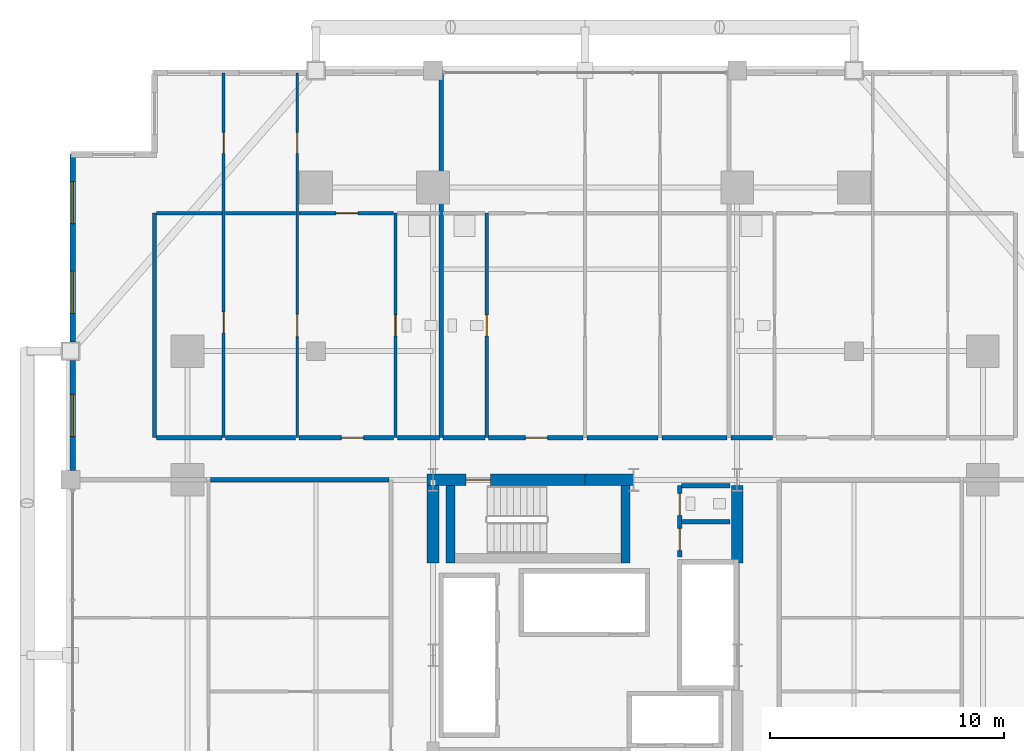
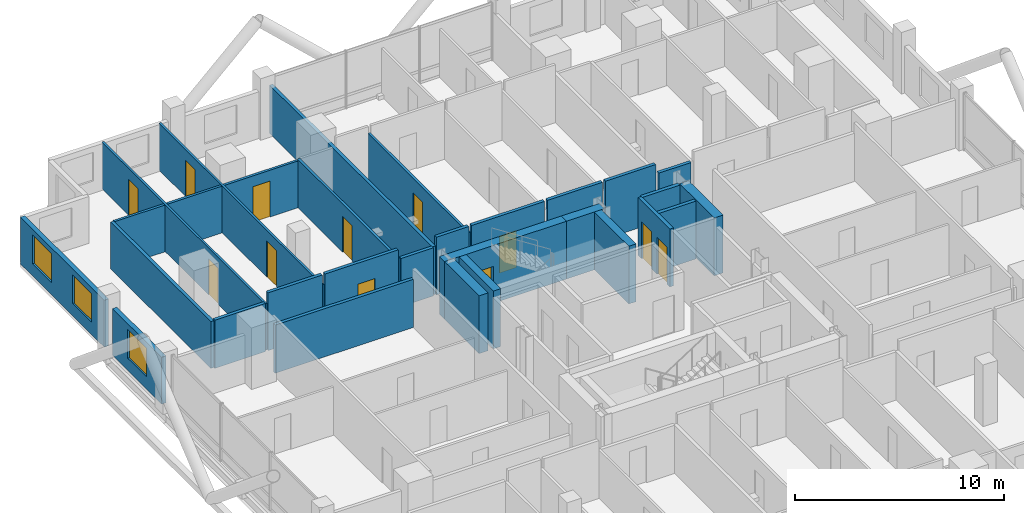
# One storey, part 24 of 28: 30 walls, 12 doors, 3 windows, 15 openings.
"""IFC4 building model written with IfcOpenShell, lengths in metres."""

from ifc_helpers import new_model, si_unit, direction, frame, frame_2d, origin, place, context, subcontext, project, spatial, rectangle, extrude, material, layer, layer_set, type_object, element, fill, save


model = new_model("IFC4")

# Units and contexts
model_context = context("Model", 3, precision=1e-05, world=origin(), true_north=direction((0.0, 1.0)))
body_context = subcontext(model_context, "Body", "Model", "MODEL_VIEW")
ifc_project = project(units=[si_unit("LENGTHUNIT", "METRE"), si_unit("AREAUNIT", "SQUARE_METRE"), si_unit("VOLUMEUNIT", "CUBIC_METRE"), si_unit("PLANEANGLEUNIT", "RADIAN"), si_unit("MASSUNIT", "GRAM", prefix="KILO")], contexts=[model_context])

# Site, building, storey
site_placement = place(None, origin())
site = spatial("IfcSite", under=ifc_project, at=site_placement, CompositionType="ELEMENT")
building_placement = place(site_placement, origin())
building = spatial("IfcBuilding", under=site, at=building_placement, Name="Barlavira Tower and Art Museum", CompositionType="ELEMENT")
storey_placement = place(building_placement, frame((0.0, 0.0, 39.60009765625)))
storey = spatial("IfcBuildingStorey", under=building, at=storey_placement, Name="L08", CompositionType="ELEMENT", Elevation=39.60009765625)

# Wall, openings, doors
ifc_material_1 = material(Name="Gypsum acoustic stud partition", Category="gypsum")
ifc_layer_1 = layer(ifc_material_1, 0.1201171875, Name="Gypsum acoustic stud partition")
ifc_layer_set_1 = layer_set([ifc_layer_1], Name="Gypsum acoustic stud partition")
wall_type_1 = type_object("IfcWallType", Name="Apartment Internal Acoustic Partition 120", PredefinedType="PARTITIONING", material=ifc_layer_set_1)
wall_1_placement = place(storey_placement, frame((-15.449951171875, 9.300048828125, 0.0), z_axis=(0.0, 0.0, 1.0), x_axis=(0.0, 1.0, 0.0)))
wall_1 = element("IfcWall", 1, at=wall_1_placement, inside=storey, type_object=wall_type_1, Name="L08 Partition Wall 4", PredefinedType="PARTITIONING", context=body_context, shape_type="SweptSolid", body=[
    extrude(rectangle(XDim=15.599853515625, YDim=0.1201171875, at=frame_2d((7.7998046875, 0.0))), origin(), (0.0, 0.0, 1.0), 2.73583984375),
])
opening_1_placement = place(wall_1_placement, frame((4.478271484375, 0.0, 0.0)))
opening_1 = element("IfcOpeningElement", 2, at=opening_1_placement, cuts=wall_1, Name="Opening D-01", PredefinedType="OPENING", context=body_context, shape_type="SweptSolid", body=[
    extrude(rectangle(XDim=0.89990234375, YDim=2.10009765625, at=frame_2d((0.449951171875, 1.050048828125))), frame((0.0, 0.070068359375, 0.0), z_axis=(0.0, -1.0, 0.0), x_axis=(1.0, 0.0, 0.0)), (0.0, 0.0, 1.0), 0.14013671875),
])
opening_2_placement = place(wall_1_placement, frame((12.14990234375, 0.0, 0.0)))
opening_2 = element("IfcOpeningElement", 3, at=opening_2_placement, cuts=wall_1, Name="Opening D-01", PredefinedType="OPENING", context=body_context, shape_type="SweptSolid", body=[
    extrude(rectangle(XDim=0.89990234375, YDim=2.10009765625, at=frame_2d((0.449951171875, 1.050048828125))), frame((0.0, 0.070068359375, 0.0), z_axis=(0.0, -1.0, 0.0), x_axis=(1.0, 0.0, 0.0)), (0.0, 0.0, 1.0), 0.14013671875),
])
ifc_material_2 = material(Name="Engineered coastal hardwood", Category="wood")
door_type_1 = type_object("IfcDoorType", Name="Internal Bedroom Timber Flush Door 900x2100", OperationType="NOTDEFINED", PredefinedType="DOOR", material=ifc_material_2)
door_1_placement = place(opening_1_placement, origin())
door_1 = element("IfcDoor", 4, at=door_1_placement, inside=storey, type_object=door_type_1, Name="Apartment N1 Walk-In Dressing Room Door", OperationType="SINGLE_SWING_LEFT", OverallHeight=2.10009765625, OverallWidth=0.89990234375, PredefinedType="DOOR", context=body_context, shape_type="SweptSolid", body=[
    extrude(rectangle(XDim=0.89990234375, YDim=2.10009765625, at=frame_2d((0.449951171875, 1.050048828125))), frame((0.0, 0.02490234375, 0.0), z_axis=(0.0, -1.0, 0.0), x_axis=(1.0, 0.0, 0.0)), (0.0, 0.0, 1.0), 0.050048828125),
])
fill(opening_1, door_1)
door_2_placement = place(opening_2_placement, origin())
door_2 = element("IfcDoor", 5, at=door_2_placement, inside=storey, type_object=door_type_1, Name="Apartment N1 Sunroom Lounge 2 Door", OperationType="SINGLE_SWING_RIGHT", OverallHeight=2.10009765625, OverallWidth=0.89990234375, PredefinedType="DOOR", context=body_context, shape_type="SweptSolid", body=[
    extrude(rectangle(XDim=0.89990234375, YDim=2.10009765625, at=frame_2d((0.449951171875, 1.050048828125))), frame((0.0, 0.02490234375, 0.0), z_axis=(0.0, -1.0, 0.0), x_axis=(1.0, 0.0, 0.0)), (0.0, 0.0, 1.0), 0.050048828125),
])
fill(opening_2, door_2)

wall_2_placement = place(storey_placement, frame((-12.300048828125, 9.300048828125, 0.0), z_axis=(0.0, 0.0, 1.0), x_axis=(0.0, 1.0, 0.0)))
wall_2 = element("IfcWall", 6, at=wall_2_placement, inside=storey, type_object=wall_type_1, Name="L08 Partition Wall 6", PredefinedType="PARTITIONING", context=body_context, shape_type="SweptSolid", body=[
    extrude(rectangle(XDim=15.599853515625, YDim=0.1201171875, at=frame_2d((7.7998046875, 0.0))), origin(), (0.0, 0.0, 1.0), 2.73583984375),
])
opening_3_placement = place(wall_2_placement, frame((4.324951171875, 0.0, 0.0)))
opening_3 = element("IfcOpeningElement", 7, at=opening_3_placement, cuts=wall_2, Name="Opening D-02", PredefinedType="OPENING", context=body_context, shape_type="SweptSolid", body=[
    extrude(rectangle(XDim=0.949951171875, YDim=2.10009765625, at=frame_2d((0.47509765625, 1.050048828125))), frame((0.0, 0.070068359375, 0.0), z_axis=(0.0, -1.0, 0.0), x_axis=(1.0, 0.0, 0.0)), (0.0, 0.0, 1.0), 0.14013671875),
])
opening_4_placement = place(wall_2_placement, frame((12.14990234375, 0.0, 0.0)))
opening_4 = element("IfcOpeningElement", 8, at=opening_4_placement, cuts=wall_2, Name="Opening D-01", PredefinedType="OPENING", context=body_context, shape_type="SweptSolid", body=[
    extrude(rectangle(XDim=0.89990234375, YDim=2.10009765625, at=frame_2d((0.449951171875, 1.050048828125))), frame((0.0, 0.070068359375, 0.0), z_axis=(0.0, -1.0, 0.0), x_axis=(1.0, 0.0, 0.0)), (0.0, 0.0, 1.0), 0.14013671875),
])
door_3_placement = place(opening_4_placement, origin())
door_3 = element("IfcDoor", 9, at=door_3_placement, inside=storey, type_object=door_type_1, Name="Apartment N1 Bedroom 1 Door", OperationType="SINGLE_SWING_LEFT", OverallHeight=2.10009765625, OverallWidth=0.89990234375, PredefinedType="DOOR", context=body_context, shape_type="SweptSolid", body=[
    extrude(rectangle(XDim=0.89990234375, YDim=2.10009765625, at=frame_2d((0.449951171875, 1.050048828125))), frame((0.0, 0.02490234375, 0.0), z_axis=(0.0, -1.0, 0.0), x_axis=(1.0, 0.0, 0.0)), (0.0, 0.0, 1.0), 0.050048828125),
])
fill(opening_4, door_3)
door_type_2 = type_object("IfcDoorType", Name="Living and Salon Glazed-Leaf Door 950x2100", OperationType="NOTDEFINED", PredefinedType="DOOR", material=ifc_material_2)
door_4_placement = place(opening_3_placement, origin())
door_4 = element("IfcDoor", 10, at=door_4_placement, inside=storey, type_object=door_type_2, Name="Apartment N1 Kitchen Door", OperationType="SINGLE_SWING_RIGHT", OverallHeight=2.10009765625, OverallWidth=0.949951171875, PredefinedType="DOOR", context=body_context, shape_type="SweptSolid", body=[
    extrude(rectangle(XDim=0.949951171875, YDim=2.10009765625, at=frame_2d((0.47509765625, 1.050048828125))), frame((0.0, 0.02490234375, 0.0), z_axis=(0.0, -1.0, 0.0), x_axis=(1.0, 0.0, 0.0)), (0.0, 0.0, 1.0), 0.050048828125),
])
fill(opening_3, door_4)

# Wall, opening, door
ifc_material_3 = material(Name="Concrete C60", Category="concrete")
ifc_layer_2 = layer(ifc_material_3, 0.5, Name="Concrete C60")
ifc_layer_set_2 = layer_set([ifc_layer_2], Name="Concrete C60")
wall_type_2 = type_object("IfcWallType", Name="Core Structural Shear Wall 500 Concrete C60", PredefinedType="SHEAR", material=ifc_layer_set_2)
wall_3_placement = place(storey_placement, frame((-6.75, 7.5, 0.0), z_axis=(0.0, 0.0, 1.0), x_axis=(1.0, 0.0, 0.0)))
wall_3 = element("IfcWall", 11, at=wall_3_placement, inside=storey, type_object=wall_type_2, Name="L08 Core Shear Wall CS-NW", PredefinedType="SHEAR", context=body_context, shape_type="SweptSolid", body=[
    extrude(rectangle(XDim=6.75, YDim=0.5, at=frame_2d((3.375, 0.0))), origin(), (0.0, 0.0, 1.0), 3.3798828125),
])
opening_5_placement = place(wall_3_placement, frame((1.64990234375, 0.0, 0.0)))
opening_5 = element("IfcOpeningElement", 12, at=opening_5_placement, cuts=wall_3, Name="Opening FD-90", PredefinedType="OPENING", context=body_context, shape_type="SweptSolid", body=[
    extrude(rectangle(XDim=1.050048828125, YDim=2.14990234375, at=frame_2d((0.52490234375, 1.074951171875))), frame((0.0, 0.260009765625, 0.0), z_axis=(0.0, -1.0, 0.0), x_axis=(1.0, 0.0, 0.0)), (0.0, 0.0, 1.0), 0.52001953125),
])
ifc_material_4 = material(Name="Brushed stainless steel", Category="steel")
door_type_3 = type_object("IfcDoorType", Name="Stair and Refuge Fire Door 1050x2150 FD90S", OperationType="NOTDEFINED", PredefinedType="DOOR", material=ifc_material_4)
door_5_placement = place(opening_5_placement, origin())
door_5 = element("IfcDoor", 13, at=door_5_placement, inside=storey, type_object=door_type_3, Name="L08 Stair ST-T2 Fire Door", OperationType="SINGLE_SWING_LEFT", OverallHeight=2.14990234375, OverallWidth=1.050048828125, PredefinedType="DOOR", context=body_context, shape_type="SweptSolid", body=[
    extrude(rectangle(XDim=1.050048828125, YDim=2.14990234375, at=frame_2d((0.52490234375, 1.074951171875))), frame((0.0, 0.02490234375, 0.0), z_axis=(0.0, -1.0, 0.0), x_axis=(1.0, 0.0, 0.0)), (0.0, 0.0, 1.0), 0.050048828125),
])
fill(opening_5, door_5)

# Walls
wall_4_placement = place(storey_placement, frame((0.0, 7.5, 0.0), z_axis=(0.0, 0.0, 1.0), x_axis=(1.0, 0.0, 0.0)))
element("IfcWall", 14, at=wall_4_placement, inside=storey, type_object=wall_type_2, Name="L08 Core Shear Wall CS-EN", PredefinedType="SHEAR", context=body_context, shape_type="SweptSolid", body=[
    extrude(rectangle(XDim=2.080078125, YDim=0.5, at=frame_2d((1.0400390625, 0.0))), origin(), (0.0, 0.0, 1.0), 3.3798828125),
])
for number, where, z_axis, x_axis, name in (
    (15, (-6.5, 3.949951171875, 0.0), (0.0, 0.0, 1.0), (0.0, 1.0, 0.0), "L08 Core Shear Wall CS-W2"),
    (16, (6.5, 3.949951171875, 0.0), (0.0, 0.0, 1.0), (0.0, 1.0, 0.0), "L08 Core Shear Wall CS-E2"),
):
    element("IfcWall", number, at=place(storey_placement, frame(where, z_axis=z_axis, x_axis=x_axis)), inside=storey, type_object=wall_type_2, Name=name, PredefinedType="SHEAR", context=body_context, shape_type="SweptSolid", body=[
        extrude(rectangle(XDim=3.300048828125, YDim=0.5, at=frame_2d((1.64990234375, 0.0))), origin(), (0.0, 0.0, 1.0), 3.3798828125),
    ])

# Wall, openings, doors
ifc_material_5 = material(Name="Autoclaved aerated concrete masonry", Category="masonry")
ifc_layer_3 = layer(ifc_material_5, 0.199951171875, Name="Autoclaved aerated concrete masonry")
ifc_layer_set_3 = layer_set([ifc_layer_3], Name="Autoclaved aerated concrete masonry")
wall_type_3 = type_object("IfcWallType", Name="Fire Compartment and Shaft Wall 200", PredefinedType="SOLIDWALL", material=ifc_layer_set_3)
wall_5_placement = place(storey_placement, frame((4.050048828125, 4.199951171875, 0.0), z_axis=(0.0, 0.0, 1.0), x_axis=(0.0, 1.0, 0.0)))
wall_5 = element("IfcWall", 17, at=wall_5_placement, inside=storey, type_object=wall_type_3, Name="L08 Partition Wall 18", PredefinedType="SOLIDWALL", context=body_context, shape_type="SweptSolid", body=[
    extrude(rectangle(XDim=3.050048828125, YDim=0.199951171875, at=frame_2d((1.52490234375, 0.0))), origin(), (0.0, 0.0, 1.0), 3.3798828125),
])
opening_6_placement = place(wall_5_placement, frame((0.27490234375, 0.0, 0.0)))
opening_6 = element("IfcOpeningElement", 18, at=opening_6_placement, cuts=wall_5, Name="Opening FD-60", PredefinedType="OPENING", context=body_context, shape_type="SweptSolid", body=[
    extrude(rectangle(XDim=0.949951171875, YDim=2.14990234375, at=frame_2d((0.47509765625, 1.074951171875))), frame((0.0, 0.10986328125, 0.0), z_axis=(0.0, -1.0, 0.0), x_axis=(1.0, 0.0, 0.0)), (0.0, 0.0, 1.0), 0.219970703125),
])
opening_7_placement = place(wall_5_placement, frame((1.77490234375, 0.0, 0.0)))
opening_7 = element("IfcOpeningElement", 19, at=opening_7_placement, cuts=wall_5, Name="Opening FD-60", PredefinedType="OPENING", context=body_context, shape_type="SweptSolid", body=[
    extrude(rectangle(XDim=0.949951171875, YDim=2.14990234375, at=frame_2d((0.47509765625, 1.074951171875))), frame((0.0, 0.10986328125, 0.0), z_axis=(0.0, -1.0, 0.0), x_axis=(1.0, 0.0, 0.0)), (0.0, 0.0, 1.0), 0.219970703125),
])
door_type_4 = type_object("IfcDoorType", Name="Apartment Entrance and Riser Fire Door 950x2150 FD60S", OperationType="NOTDEFINED", PredefinedType="DOOR", material=ifc_material_4)
door_6_placement = place(opening_6_placement, origin())
door_6 = element("IfcDoor", 20, at=door_6_placement, inside=storey, type_object=door_type_4, Name="Electrical Switchgear Room Door", OperationType="SINGLE_SWING_RIGHT", OverallHeight=2.14990234375, OverallWidth=0.949951171875, PredefinedType="DOOR", context=body_context, shape_type="SweptSolid", body=[
    extrude(rectangle(XDim=0.949951171875, YDim=2.14990234375, at=frame_2d((0.47509765625, 1.074951171875))), frame((0.0, 0.02490234375, 0.0), z_axis=(0.0, -1.0, 0.0), x_axis=(1.0, 0.0, 0.0)), (0.0, 0.0, 1.0), 0.050048828125),
])
fill(opening_6, door_6)
door_7_placement = place(opening_7_placement, origin())
door_7 = element("IfcDoor", 21, at=door_7_placement, inside=storey, type_object=door_type_4, Name="Core Staff Toilet Door", OperationType="SINGLE_SWING_LEFT", OverallHeight=2.14990234375, OverallWidth=0.949951171875, PredefinedType="DOOR", context=body_context, shape_type="SweptSolid", body=[
    extrude(rectangle(XDim=0.949951171875, YDim=2.14990234375, at=frame_2d((0.47509765625, 1.074951171875))), frame((0.0, 0.02490234375, 0.0), z_axis=(0.0, -1.0, 0.0), x_axis=(1.0, 0.0, 0.0)), (0.0, 0.0, 1.0), 0.050048828125),
])
fill(opening_7, door_7)

# Walls
for number, where, z_axis, x_axis, name in (
    (22, (4.1298828125, 5.699951171875, 0.0), (0.0, 0.0, 1.0), (1.0, 0.0, 0.0), "L08 Partition Wall 67"),
    (23, (4.1298828125, 7.25, 0.0), (0.0, 0.0, 1.0), (1.0, 0.0, 0.0), "L08 Partition Wall 68"),
):
    element("IfcWall", number, at=place(storey_placement, frame(where, z_axis=z_axis, x_axis=x_axis)), inside=storey, type_object=wall_type_3, Name=name, PredefinedType="SOLIDWALL", context=body_context, shape_type="SweptSolid", body=[
        extrude(rectangle(XDim=2.070068359375, YDim=0.199951171875, at=frame_2d((1.03515625, 0.0))), origin(), (0.0, 0.0, 1.0), 3.3798828125),
    ])
ifc_layer_4 = layer(ifc_material_1, 0.179931640625, Name="Gypsum acoustic stud partition")
ifc_layer_set_4 = layer_set([ifc_layer_4], Name="Gypsum acoustic stud partition")
wall_type_4 = type_object("IfcWallType", Name="Inter-Tenancy Party Partition Wall 180", PredefinedType="PARTITIONING", material=ifc_layer_set_4)
wall_6_placement = place(storey_placement, frame((-18.39990234375, 9.300048828125, 0.0), z_axis=(0.0, 0.0, 1.0), x_axis=(0.0, 1.0, 0.0)))
element("IfcWall", 24, at=wall_6_placement, inside=storey, type_object=wall_type_4, Name="L08 Partition Wall 2", PredefinedType="PARTITIONING", context=body_context, shape_type="SweptSolid", body=[
    extrude(rectangle(XDim=9.599853515625, YDim=0.179931640625, at=frame_2d((4.7998046875, 0.0))), origin(), (0.0, 0.0, 1.0), 2.73583984375),
])
wall_7_placement = place(storey_placement, frame((-6.14990234375, 9.300048828125, 0.0), z_axis=(0.0, 0.0, 1.0), x_axis=(0.0, 1.0, 0.0)))
element("IfcWall", 25, at=wall_7_placement, inside=storey, type_object=wall_type_4, Name="L08 Partition Wall 11", PredefinedType="PARTITIONING", context=body_context, shape_type="SweptSolid", body=[
    extrude(rectangle(XDim=15.599853515625, YDim=0.179931640625, at=frame_2d((7.7998046875, 0.0))), origin(), (0.0, 0.0, 1.0), 2.81591796875),
])
wall_8_placement = place(storey_placement, frame((-16.02001953125, 7.5, 0.0), z_axis=(0.0, 0.0, 1.0), x_axis=(1.0, 0.0, 0.0)))
element("IfcWall", 26, at=wall_8_placement, inside=storey, type_object=wall_type_4, Name="L08 Partition Wall 70", PredefinedType="PARTITIONING", context=body_context, shape_type="SweptSolid", body=[
    extrude(rectangle(XDim=7.64013671875, YDim=0.179931640625, at=frame_2d((3.820068359375, 0.0))), origin(), (0.0, 0.0, 1.0), 2.81591796875),
])
wall_9_placement = place(storey_placement, frame((-18.320068359375, 9.300048828125, 0.0), z_axis=(0.0, 0.0, 1.0), x_axis=(1.0, 0.0, 0.0)))
element("IfcWall", 27, at=wall_9_placement, inside=storey, type_object=wall_type_4, Name="L08 Partition Wall 73", PredefinedType="PARTITIONING", context=body_context, shape_type="SweptSolid", body=[
    extrude(rectangle(XDim=2.7900390625, YDim=0.179931640625, at=frame_2d((1.39501953125, 0.0))), origin(), (0.0, 0.0, 1.0), 2.81591796875),
])
wall_10_placement = place(storey_placement, frame((-15.3701171875, 9.300048828125, 0.0), z_axis=(0.0, 0.0, 1.0), x_axis=(1.0, 0.0, 0.0)))
element("IfcWall", 28, at=wall_10_placement, inside=storey, type_object=wall_type_4, Name="L08 Partition Wall 74", PredefinedType="PARTITIONING", context=body_context, shape_type="SweptSolid", body=[
    extrude(rectangle(XDim=2.990234375, YDim=0.179931640625, at=frame_2d((1.4951171875, 0.0))), origin(), (0.0, 0.0, 1.0), 3.3798828125),
])

# Wall, opening, door
wall_11_placement = place(storey_placement, frame((-12.219970703125, 9.300048828125, 0.0), z_axis=(0.0, 0.0, 1.0), x_axis=(1.0, 0.0, 0.0)))
wall_11 = element("IfcWall", 29, at=wall_11_placement, inside=storey, type_object=wall_type_4, Name="L08 Partition Wall 75", PredefinedType="PARTITIONING", context=body_context, shape_type="SweptSolid", body=[
    extrude(rectangle(XDim=4.0400390625, YDim=0.179931640625, at=frame_2d((2.02001953125, 0.0))), origin(), (0.0, 0.0, 1.0), 3.3798828125),
])
opening_8_placement = place(wall_11_placement, frame((1.804931640625, 0.0, 0.0)))
opening_8 = element("IfcOpeningElement", 30, at=opening_8_placement, cuts=wall_11, Name="Opening FD-60", PredefinedType="OPENING", context=body_context, shape_type="SweptSolid", body=[
    extrude(rectangle(XDim=0.949951171875, YDim=2.14990234375, at=frame_2d((0.47509765625, 1.074951171875))), frame((0.0, 0.10009765625, 0.0), z_axis=(0.0, -1.0, 0.0), x_axis=(1.0, 0.0, 0.0)), (0.0, 0.0, 1.0), 0.199951171875),
])
door_8_placement = place(opening_8_placement, origin())
door_8 = element("IfcDoor", 31, at=door_8_placement, inside=storey, type_object=door_type_4, Name="Apartment Entrance Hall N1 Door", OperationType="SINGLE_SWING_LEFT", OverallHeight=2.14990234375, OverallWidth=0.949951171875, PredefinedType="DOOR", context=body_context, shape_type="SweptSolid", body=[
    extrude(rectangle(XDim=0.949951171875, YDim=2.14990234375, at=frame_2d((0.47509765625, 1.074951171875))), frame((0.0, 0.02490234375, 0.0), z_axis=(0.0, -1.0, 0.0), x_axis=(1.0, 0.0, 0.0)), (0.0, 0.0, 1.0), 0.050048828125),
])
fill(opening_8, door_8)

# Walls
wall_12_placement = place(storey_placement, frame((-8.02001953125, 9.300048828125, 0.0), z_axis=(0.0, 0.0, 1.0), x_axis=(1.0, 0.0, 0.0)))
element("IfcWall", 32, at=wall_12_placement, inside=storey, type_object=wall_type_4, Name="L08 Partition Wall 76", PredefinedType="PARTITIONING", context=body_context, shape_type="SweptSolid", body=[
    extrude(rectangle(XDim=1.7900390625, YDim=0.179931640625, at=frame_2d((0.89501953125, 0.0))), origin(), (0.0, 0.0, 1.0), 2.81591796875),
])
wall_13_placement = place(storey_placement, frame((-6.070068359375, 9.300048828125, 0.0), z_axis=(0.0, 0.0, 1.0), x_axis=(1.0, 0.0, 0.0)))
element("IfcWall", 33, at=wall_13_placement, inside=storey, type_object=wall_type_4, Name="L08 Partition Wall 77", PredefinedType="PARTITIONING", context=body_context, shape_type="SweptSolid", body=[
    extrude(rectangle(XDim=1.7900390625, YDim=0.179931640625, at=frame_2d((0.89501953125, 0.0))), origin(), (0.0, 0.0, 1.0), 3.3798828125),
])

# Wall, opening, door
wall_14_placement = place(storey_placement, frame((-4.1201171875, 9.300048828125, 0.0), z_axis=(0.0, 0.0, 1.0), x_axis=(1.0, 0.0, 0.0)))
wall_14 = element("IfcWall", 34, at=wall_14_placement, inside=storey, type_object=wall_type_4, Name="L08 Partition Wall 78", PredefinedType="PARTITIONING", context=body_context, shape_type="SweptSolid", body=[
    extrude(rectangle(XDim=4.0400390625, YDim=0.179931640625, at=frame_2d((2.02001953125, 0.0))), origin(), (0.0, 0.0, 1.0), 3.3798828125),
])
opening_9_placement = place(wall_14_placement, frame((1.56494140625, 0.0, 0.0)))
opening_9 = element("IfcOpeningElement", 35, at=opening_9_placement, cuts=wall_14, Name="Opening FD-60", PredefinedType="OPENING", context=body_context, shape_type="SweptSolid", body=[
    extrude(rectangle(XDim=0.949951171875, YDim=2.14990234375, at=frame_2d((0.47509765625, 1.074951171875))), frame((0.0, 0.10009765625, 0.0), z_axis=(0.0, -1.0, 0.0), x_axis=(1.0, 0.0, 0.0)), (0.0, 0.0, 1.0), 0.199951171875),
])
door_9_placement = place(opening_9_placement, origin())
door_9 = element("IfcDoor", 36, at=door_9_placement, inside=storey, type_object=door_type_4, Name="Apartment Entrance Hall N2 Door", OperationType="SINGLE_SWING_RIGHT", OverallHeight=2.14990234375, OverallWidth=0.949951171875, PredefinedType="DOOR", context=body_context, shape_type="SweptSolid", body=[
    extrude(rectangle(XDim=0.949951171875, YDim=2.14990234375, at=frame_2d((0.47509765625, 1.074951171875))), frame((0.0, 0.02490234375, 0.0), z_axis=(0.0, -1.0, 0.0), x_axis=(1.0, 0.0, 0.0)), (0.0, 0.0, 1.0), 0.050048828125),
])
fill(opening_9, door_9)

# Walls
wall_15_placement = place(storey_placement, frame((0.080078125, 9.300048828125, 0.0), z_axis=(0.0, 0.0, 1.0), x_axis=(1.0, 0.0, 0.0)))
element("IfcWall", 37, at=wall_15_placement, inside=storey, type_object=wall_type_4, Name="L08 Partition Wall 79", PredefinedType="PARTITIONING", context=body_context, shape_type="SweptSolid", body=[
    extrude(rectangle(XDim=3.0400390625, YDim=0.179931640625, at=frame_2d((1.52001953125, 0.0))), origin(), (0.0, 0.0, 1.0), 3.3798828125),
])
wall_16_placement = place(storey_placement, frame((3.280029296875, 9.300048828125, 0.0), z_axis=(0.0, 0.0, 1.0), x_axis=(1.0, 0.0, 0.0)))
element("IfcWall", 38, at=wall_16_placement, inside=storey, type_object=wall_type_4, Name="L08 Partition Wall 80", PredefinedType="PARTITIONING", context=body_context, shape_type="SweptSolid", body=[
    extrude(rectangle(XDim=2.7900390625, YDim=0.179931640625, at=frame_2d((1.39501953125, 0.0))), origin(), (0.0, 0.0, 1.0), 3.3798828125),
])
wall_17_placement = place(storey_placement, frame((6.22998046875, 9.300048828125, 0.0), z_axis=(0.0, 0.0, 1.0), x_axis=(1.0, 0.0, 0.0)))
element("IfcWall", 39, at=wall_17_placement, inside=storey, type_object=wall_type_4, Name="L08 Partition Wall 81", PredefinedType="PARTITIONING", context=body_context, shape_type="SweptSolid", body=[
    extrude(rectangle(XDim=1.7900390625, YDim=0.179931640625, at=frame_2d((0.89501953125, 0.0))), origin(), (0.0, 0.0, 1.0), 2.81591796875),
])

# Wall, opening, door
ifc_layer_5 = layer(ifc_material_1, 0.139892578125, Name="Gypsum acoustic stud partition")
ifc_layer_set_5 = layer_set([ifc_layer_5], Name="Gypsum acoustic stud partition")
wall_type_5 = type_object("IfcWallType", Name="Moisture-Resistant Bathroom Partition 140", PredefinedType="PARTITIONING", material=ifc_layer_set_5)
wall_18_placement = place(storey_placement, frame((-8.10009765625, 9.300048828125, 0.0), z_axis=(0.0, 0.0, 1.0), x_axis=(0.0, 1.0, 0.0)))
wall_18 = element("IfcWall", 40, at=wall_18_placement, inside=storey, type_object=wall_type_5, Name="L08 Partition Wall 9", PredefinedType="PARTITIONING", context=body_context, shape_type="SweptSolid", body=[
    extrude(rectangle(XDim=9.599853515625, YDim=0.139892578125, at=frame_2d((4.7998046875, 0.0))), origin(), (0.0, 0.0, 1.0), 2.81591796875),
])
opening_10_placement = place(wall_18_placement, frame((4.35009765625, 0.0, 0.0)))
opening_10 = element("IfcOpeningElement", 41, at=opening_10_placement, cuts=wall_18, Name="Opening D-WC", PredefinedType="OPENING", context=body_context, shape_type="SweptSolid", body=[
    extrude(rectangle(XDim=0.89990234375, YDim=2.10009765625, at=frame_2d((0.449951171875, 1.050048828125))), frame((0.0, 0.080078125, 0.0), z_axis=(0.0, -1.0, 0.0), x_axis=(1.0, 0.0, 0.0)), (0.0, 0.0, 1.0), 0.159912109375),
])
door_type_5 = type_object("IfcDoorType", Name="Accessible Bathroom Flush Door 900x2100", OperationType="NOTDEFINED", PredefinedType="DOOR", material=ifc_material_2)
door_10_placement = place(opening_10_placement, origin())
door_10 = element("IfcDoor", 42, at=door_10_placement, inside=storey, type_object=door_type_5, Name="Apartment N1 Hall Bathroom Door", OperationType="SINGLE_SWING_RIGHT", OverallHeight=2.10009765625, OverallWidth=0.89990234375, PredefinedType="DOOR", context=body_context, shape_type="SweptSolid", body=[
    extrude(rectangle(XDim=0.89990234375, YDim=2.10009765625, at=frame_2d((0.449951171875, 1.050048828125))), frame((0.0, 0.02490234375, 0.0), z_axis=(0.0, -1.0, 0.0), x_axis=(1.0, 0.0, 0.0)), (0.0, 0.0, 1.0), 0.050048828125),
])
fill(opening_10, door_10)

wall_19_placement = place(storey_placement, frame((-4.199951171875, 9.300048828125, 0.0), z_axis=(0.0, 0.0, 1.0), x_axis=(0.0, 1.0, 0.0)))
wall_19 = element("IfcWall", 43, at=wall_19_placement, inside=storey, type_object=wall_type_5, Name="L08 Partition Wall 12", PredefinedType="PARTITIONING", context=body_context, shape_type="SweptSolid", body=[
    extrude(rectangle(XDim=9.599853515625, YDim=0.139892578125, at=frame_2d((4.7998046875, 0.0))), origin(), (0.0, 0.0, 1.0), 2.947998046875),
])
opening_11_placement = place(wall_19_placement, frame((4.35009765625, 0.0, 0.0)))
opening_11 = element("IfcOpeningElement", 44, at=opening_11_placement, cuts=wall_19, Name="Opening D-WC", PredefinedType="OPENING", context=body_context, shape_type="SweptSolid", body=[
    extrude(rectangle(XDim=0.89990234375, YDim=2.10009765625, at=frame_2d((0.449951171875, 1.050048828125))), frame((0.0, 0.080078125, 0.0), z_axis=(0.0, -1.0, 0.0), x_axis=(1.0, 0.0, 0.0)), (0.0, 0.0, 1.0), 0.159912109375),
])
door_11_placement = place(opening_11_placement, origin())
door_11 = element("IfcDoor", 45, at=door_11_placement, inside=storey, type_object=door_type_5, Name="Apartment N2 Hall Bathroom Door", OperationType="SINGLE_SWING_LEFT", OverallHeight=2.10009765625, OverallWidth=0.89990234375, PredefinedType="DOOR", context=body_context, shape_type="SweptSolid", body=[
    extrude(rectangle(XDim=0.89990234375, YDim=2.10009765625, at=frame_2d((0.449951171875, 1.050048828125))), frame((0.0, 0.02490234375, 0.0), z_axis=(0.0, -1.0, 0.0), x_axis=(1.0, 0.0, 0.0)), (0.0, 0.0, 1.0), 0.050048828125),
])
fill(opening_11, door_11)

# Walls
wall_20_placement = place(storey_placement, frame((-18.320068359375, 18.89990234375, 0.0), z_axis=(0.0, 0.0, 1.0), x_axis=(1.0, 0.0, 0.0)))
element("IfcWall", 46, at=wall_20_placement, inside=storey, type_object=wall_type_5, Name="L08 Partition Wall 85", PredefinedType="PARTITIONING", context=body_context, shape_type="SweptSolid", body=[
    extrude(rectangle(XDim=2.7900390625, YDim=0.139892578125, at=frame_2d((1.39501953125, 0.0))), origin(), (0.0, 0.0, 1.0), 2.73583984375),
])
wall_21_placement = place(storey_placement, frame((-15.3701171875, 18.89990234375, 0.0), z_axis=(0.0, 0.0, 1.0), x_axis=(1.0, 0.0, 0.0)))
element("IfcWall", 47, at=wall_21_placement, inside=storey, type_object=wall_type_5, Name="L08 Partition Wall 86", PredefinedType="PARTITIONING", context=body_context, shape_type="SweptSolid", body=[
    extrude(rectangle(XDim=2.990234375, YDim=0.139892578125, at=frame_2d((1.4951171875, 0.0))), origin(), (0.0, 0.0, 1.0), 2.73583984375),
])

# Wall, opening, door
wall_22_placement = place(storey_placement, frame((-12.219970703125, 18.89990234375, 0.0), z_axis=(0.0, 0.0, 1.0), x_axis=(1.0, 0.0, 0.0)))
wall_22 = element("IfcWall", 48, at=wall_22_placement, inside=storey, type_object=wall_type_5, Name="L08 Partition Wall 87", PredefinedType="PARTITIONING", context=body_context, shape_type="SweptSolid", body=[
    extrude(rectangle(XDim=4.0400390625, YDim=0.139892578125, at=frame_2d((2.02001953125, 0.0))), origin(), (0.0, 0.0, 1.0), 2.73583984375),
])
opening_12_placement = place(wall_22_placement, frame((1.56494140625, 0.0, 0.0)))
opening_12 = element("IfcOpeningElement", 49, at=opening_12_placement, cuts=wall_22, Name="Opening D-02", PredefinedType="OPENING", context=body_context, shape_type="SweptSolid", body=[
    extrude(rectangle(XDim=0.949951171875, YDim=2.10009765625, at=frame_2d((0.47509765625, 1.050048828125))), frame((0.0, 0.080078125, 0.0), z_axis=(0.0, -1.0, 0.0), x_axis=(1.0, 0.0, 0.0)), (0.0, 0.0, 1.0), 0.159912109375),
])
door_12_placement = place(opening_12_placement, origin())
door_12 = element("IfcDoor", 50, at=door_12_placement, inside=storey, type_object=door_type_2, Name="Apartment N1 Living Lounge Door", OperationType="SINGLE_SWING_RIGHT", OverallHeight=2.10009765625, OverallWidth=0.949951171875, PredefinedType="DOOR", context=body_context, shape_type="SweptSolid", body=[
    extrude(rectangle(XDim=0.949951171875, YDim=2.10009765625, at=frame_2d((0.47509765625, 1.050048828125))), frame((0.0, 0.02490234375, 0.0), z_axis=(0.0, -1.0, 0.0), x_axis=(1.0, 0.0, 0.0)), (0.0, 0.0, 1.0), 0.050048828125),
])
fill(opening_12, door_12)

# Wall, openings, windows
ifc_material_6 = material(Name="Precast concrete C40", Category="concrete")
ifc_layer_6 = layer(ifc_material_6, 0.25, Name="Precast concrete C40")
ifc_layer_set_6 = layer_set([ifc_layer_6], Name="Precast concrete C40")
wall_type_6 = type_object("IfcWallType", Name="Notched Corner Spandrel Wall 250 Precast Concrete C40", PredefinedType="SOLIDWALL", material=ifc_layer_set_6)
wall_23_placement = place(storey_placement, frame((-21.89990234375, 21.425048828125, 0.0), z_axis=(0.0, 0.0, 1.0), x_axis=(0.0, -1.0, 0.0)))
wall_23 = element("IfcWall", 51, at=wall_23_placement, inside=storey, type_object=wall_type_6, Name="L08 Coastal Facade Pier Wall CW1-L08-W-1", PredefinedType="SOLIDWALL", context=body_context, shape_type="SweptSolid", body=[
    extrude(rectangle(XDim=8.030029296875, YDim=0.25, at=frame_2d((4.01513671875, 0.0))), origin(), (0.0, 0.0, 1.0), 2.73583984375),
])
opening_13_placement = place(wall_23_placement, frame((1.176025390625, 0.0, 0.719970703125)))
opening_13 = element("IfcOpeningElement", 52, at=opening_13_placement, cuts=wall_23, Name="Opening WN-01", PredefinedType="OPENING", context=body_context, shape_type="SweptSolid", body=[
    extrude(rectangle(XDim=1.800048828125, YDim=1.679931640625, at=frame_2d((0.89990234375, 0.83984375))), frame((0.0, 0.135009765625, 0.0), z_axis=(0.0, -1.0, 0.0), x_axis=(1.0, 0.0, 0.0)), (0.0, 0.0, 1.0), 0.27001953125),
])
opening_14_placement = place(wall_23_placement, frame((5.009033203125, 0.0, 0.719970703125)))
opening_14 = element("IfcOpeningElement", 53, at=opening_14_placement, cuts=wall_23, Name="Opening WN-01", PredefinedType="OPENING", context=body_context, shape_type="SweptSolid", body=[
    extrude(rectangle(XDim=1.800048828125, YDim=1.679931640625, at=frame_2d((0.89990234375, 0.83984375))), frame((0.0, 0.135009765625, 0.0), z_axis=(0.0, -1.0, 0.0), x_axis=(1.0, 0.0, 0.0)), (0.0, 0.0, 1.0), 0.27001953125),
])
ifc_material_7 = material(Name="Low-iron coastal laminated glass", Category="glass")
window_type = type_object("IfcWindowType", Name="Recessed Notch Corner Punch Window 1800x1680", PartitioningType="SINGLE_PANEL", PredefinedType="WINDOW", material=ifc_material_7)
window_1_placement = place(opening_13_placement, origin())
window_1 = element("IfcWindow", 54, at=window_1_placement, inside=storey, type_object=window_type, Name="L08 Punched Facade Window EWP-CW1-L08-W-1-1", OverallHeight=1.679931640625, OverallWidth=1.800048828125, PartitioningType="SINGLE_PANEL", PredefinedType="WINDOW", context=body_context, shape_type="SweptSolid", body=[
    extrude(rectangle(XDim=1.800048828125, YDim=1.679931640625, at=frame_2d((0.89990234375, 0.83984375))), frame((0.0, 0.030029296875, 0.0), z_axis=(0.0, -1.0, 0.0), x_axis=(1.0, 0.0, 0.0)), (0.0, 0.0, 1.0), 0.06005859375),
])
fill(opening_13, window_1)
window_2_placement = place(opening_14_placement, origin())
window_2 = element("IfcWindow", 55, at=window_2_placement, inside=storey, type_object=window_type, Name="L08 Punched Facade Window EWP-CW1-L08-W-1-2", OverallHeight=1.679931640625, OverallWidth=1.800048828125, PartitioningType="SINGLE_PANEL", PredefinedType="WINDOW", context=body_context, shape_type="SweptSolid", body=[
    extrude(rectangle(XDim=1.800048828125, YDim=1.679931640625, at=frame_2d((0.89990234375, 0.83984375))), frame((0.0, 0.030029296875, 0.0), z_axis=(0.0, -1.0, 0.0), x_axis=(1.0, 0.0, 0.0)), (0.0, 0.0, 1.0), 0.06005859375),
])
fill(opening_14, window_2)

# Wall, opening, window
wall_24_placement = place(storey_placement, frame((-21.89990234375, 12.60498046875, 0.0), z_axis=(0.0, 0.0, 1.0), x_axis=(0.0, -1.0, 0.0)))
wall_24 = element("IfcWall", 56, at=wall_24_placement, inside=storey, type_object=wall_type_6, Name="L08 Coastal Facade Pier Wall CW1-L08-W-2", PredefinedType="SOLIDWALL", context=body_context, shape_type="SweptSolid", body=[
    extrude(rectangle(XDim=4.7099609375, YDim=0.25, at=frame_2d((2.35498046875, 0.0))), origin(), (0.0, 0.0, 1.0), 2.73583984375),
])
opening_15_placement = place(wall_24_placement, frame((1.455078125, 0.0, 0.719970703125)))
opening_15 = element("IfcOpeningElement", 57, at=opening_15_placement, cuts=wall_24, Name="Opening WN-01", PredefinedType="OPENING", context=body_context, shape_type="SweptSolid", body=[
    extrude(rectangle(XDim=1.800048828125, YDim=1.679931640625, at=frame_2d((0.89990234375, 0.83984375))), frame((0.0, 0.135009765625, 0.0), z_axis=(0.0, -1.0, 0.0), x_axis=(1.0, 0.0, 0.0)), (0.0, 0.0, 1.0), 0.27001953125),
])
window_3_placement = place(opening_15_placement, origin())
window_3 = element("IfcWindow", 58, at=window_3_placement, inside=storey, type_object=window_type, Name="L08 Punched Facade Window EWP-CW1-L08-W-2-1", OverallHeight=1.679931640625, OverallWidth=1.800048828125, PartitioningType="SINGLE_PANEL", PredefinedType="WINDOW", context=body_context, shape_type="SweptSolid", body=[
    extrude(rectangle(XDim=1.800048828125, YDim=1.679931640625, at=frame_2d((0.89990234375, 0.83984375))), frame((0.0, 0.030029296875, 0.0), z_axis=(0.0, -1.0, 0.0), x_axis=(1.0, 0.0, 0.0)), (0.0, 0.0, 1.0), 0.06005859375),
])
fill(opening_15, window_3)

# Walls
ifc_material_8 = material(Name="Concrete C55", Category="concrete")
ifc_layer_7 = layer(ifc_material_8, 0.39990234375, Name="Concrete C55")
ifc_layer_set_7 = layer_set([ifc_layer_7], Name="Concrete C55")
wall_type_7 = type_object("IfcWallType", Name="Upper Core Shear Wall 400 Concrete C55", PredefinedType="SHEAR", material=ifc_layer_set_7)
for number, where, z_axis, x_axis, name in (
    (59, (1.72998046875, 3.949951171875, 0.0), (0.0, 0.0, 1.0), (0.0, 1.0, 0.0), "L08 ST-T2 East Half-Landing Wall"),
    (60, (-5.75, 3.949951171875, 0.0), (0.0, 0.0, 1.0), (0.0, 1.0, 0.0), "L08 ST-T2 West Shaft Wall"),
):
    element("IfcWall", number, at=place(storey_placement, frame(where, z_axis=z_axis, x_axis=x_axis)), inside=storey, type_object=wall_type_7, Name=name, PredefinedType="SHEAR", context=body_context, shape_type="SweptSolid", body=[
        extrude(rectangle(XDim=3.300048828125, YDim=0.39990234375, at=frame_2d((1.64990234375, 0.0))), origin(), (0.0, 0.0, 1.0), 3.3798828125),
    ])

save(model, "model.ifc")
